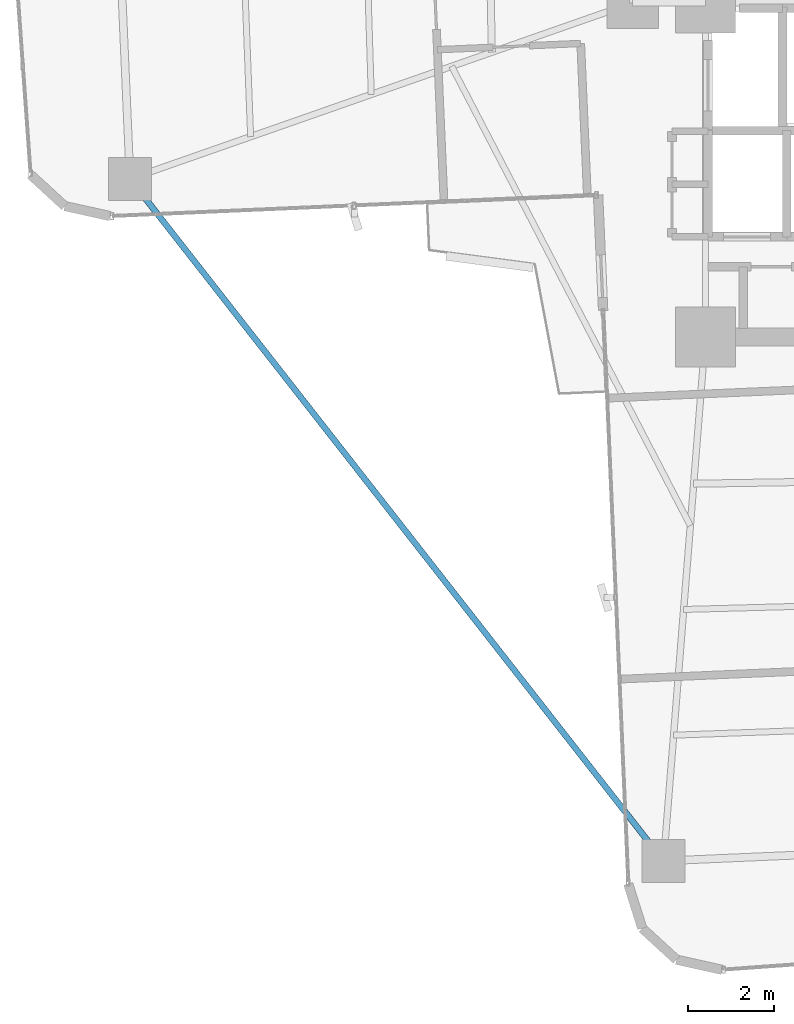
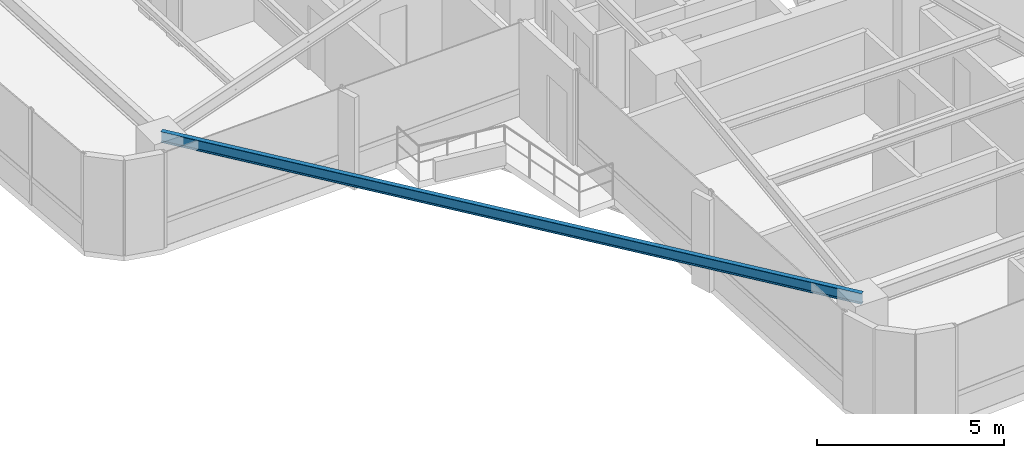
# One storey, part 3 of 26: 1 beam.
"""IFC4 building model written with IfcOpenShell, lengths in metres."""

from ifc_helpers import new_model, si_unit, direction, frame, origin, origin_2d, place, context, subcontext, project, spatial, i_section, extrude, source, transform, mapped, material, material_profile, profile_set, type_object, element, save


model = new_model("IFC4")

# Units and contexts
model_context = context("Model", 3, precision=1e-05, world=origin(), true_north=direction((0.0, 1.0)))
body_context = subcontext(model_context, "Body", "Model", "MODEL_VIEW")
ifc_project = project(units=[si_unit("LENGTHUNIT", "METRE"), si_unit("AREAUNIT", "SQUARE_METRE"), si_unit("VOLUMEUNIT", "CUBIC_METRE"), si_unit("PLANEANGLEUNIT", "RADIAN"), si_unit("MASSUNIT", "GRAM", prefix="KILO")], contexts=[model_context])

# Site, building, storey
site_placement = place(None, origin())
site = spatial("IfcSite", under=ifc_project, at=site_placement, CompositionType="ELEMENT")
building_placement = place(site_placement, origin())
building = spatial("IfcBuilding", under=site, at=building_placement, Name="Sahyath Konkavel Grand Hotel", CompositionType="ELEMENT")
storey_placement = place(building_placement, frame((0.0, 0.0, 121.5)))
storey = spatial("IfcBuildingStorey", under=building, at=storey_placement, Name="L33", CompositionType="ELEMENT", Elevation=121.5)

# Beam
ifc_material = material(Name="Steel E350", Category="steel")
ifc_material_profile = material_profile(ifc_material, i_section(OverallWidth=0.139892578125, OverallDepth=0.35009765625, WebThickness=0.008056640625, FlangeThickness=0.01416015625, FilletRadius=0.013916015625, at=origin_2d()), Name="ISMB 350")
ifc_profile_set = profile_set([ifc_material_profile], Name="Steel E350")
beam_type = type_object("IfcBeamType", Name="BM-ISMB350", PredefinedType="BEAM", material=ifc_profile_set)
shared_shape = source(origin(), body_context, "Body", "SweptSolid", [
    extrude(i_section(OverallWidth=0.139892578125, OverallDepth=0.35009765625, WebThickness=0.008056640625, FlangeThickness=0.01416015625, FilletRadius=0.013916015625, at=origin_2d()), origin(), (0.0, 0.0, 1.0), 20.215576171875),
])
beam_placement = place(storey_placement, frame((-17.232421875, -6.5078125, 2.93505859375), z_axis=(0.616176369687, -0.787608203004, 0.0), x_axis=(0.787608203004, 0.616176369687, 0.0)))
element("IfcBeam", 1, at=beam_placement, inside=storey, type_object=beam_type, Name="L33 Re-Entrant Tie Beam SW", PredefinedType="BEAM", context=body_context, shape_type="MappedRepresentation", body=[
    mapped(shared_shape, transform((0.0, 0.0, 0.0), scale=1.0)),
])

save(model, "model.ifc")
